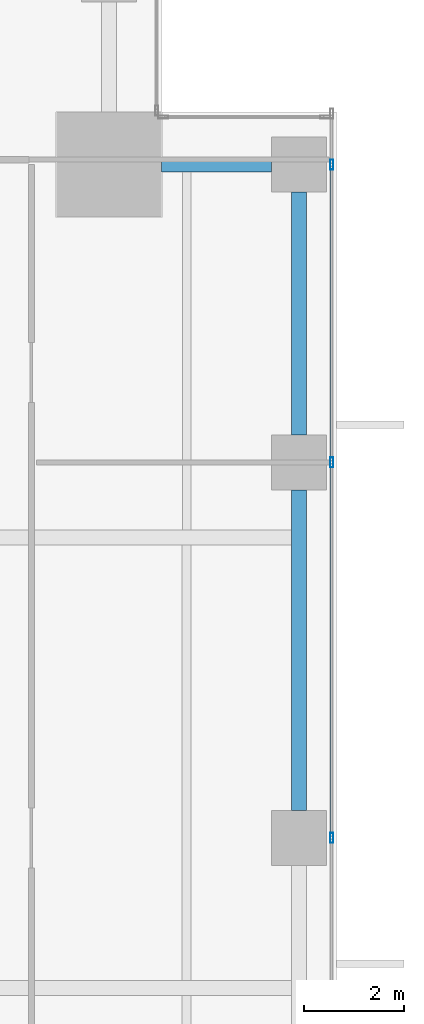
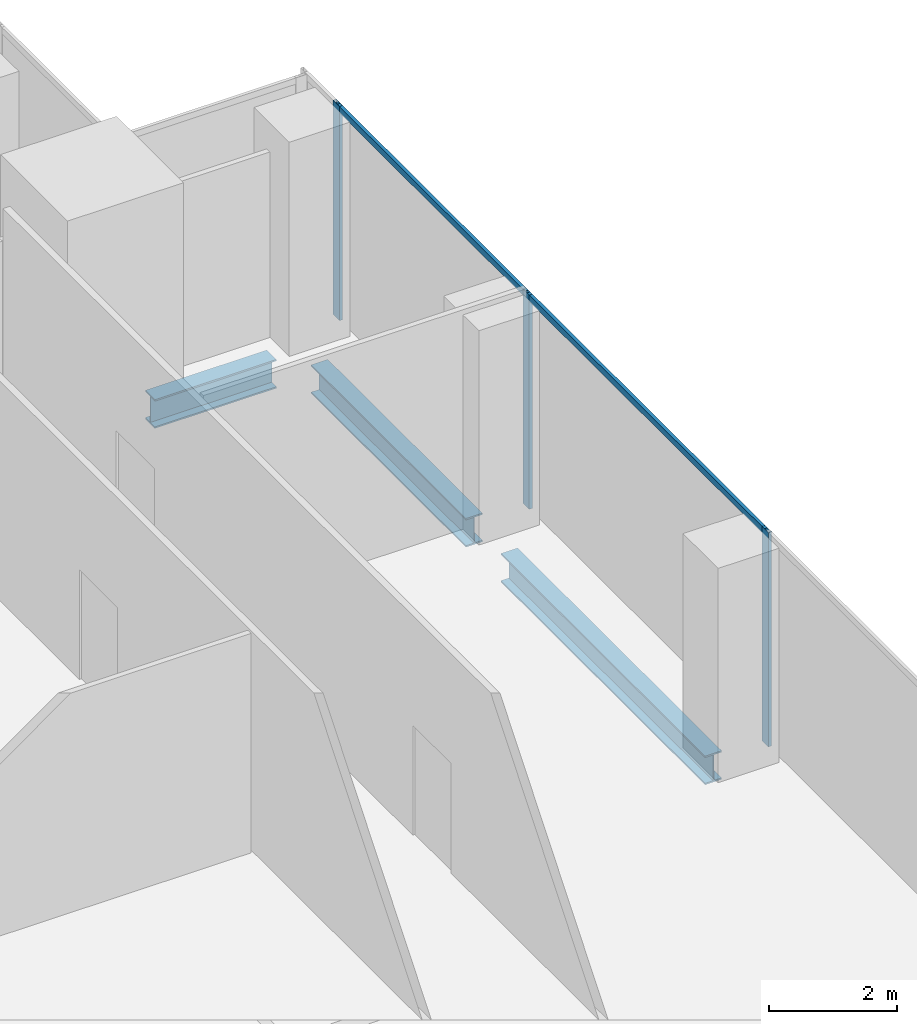
# One storey, part 19 of 34: 5 members, 3 beams, 1 element without a shape of its own.
"""IFC4 building model written with IfcOpenShell, lengths in metres."""

from ifc_helpers import new_model, si_unit, direction, frame, origin, origin_2d, place, context, subcontext, project, spatial, hollow_rectangle, i_section, extrude, source, transform, mapped, material, material_profile, profile_set, type_object, element, aggregate, save


model = new_model("IFC4")

# Units and contexts
model_context = context("Model", 3, precision=1e-05, world=origin(), true_north=direction((0.0, 1.0)))
body_context = subcontext(model_context, "Body", "Model", "MODEL_VIEW")
ifc_project = project(units=[si_unit("LENGTHUNIT", "METRE"), si_unit("AREAUNIT", "SQUARE_METRE"), si_unit("VOLUMEUNIT", "CUBIC_METRE"), si_unit("PLANEANGLEUNIT", "RADIAN"), si_unit("MASSUNIT", "GRAM", prefix="KILO")], contexts=[model_context])

# Site, building, storey
site_placement = place(None, origin())
site = spatial("IfcSite", under=ifc_project, at=site_placement, CompositionType="ELEMENT")
building_placement = place(site_placement, origin())
building = spatial("IfcBuilding", under=site, at=building_placement, Name="Khomas Fold Tower", CompositionType="ELEMENT")
storey_placement = place(building_placement, frame((0.0, 0.0, 110.300048828125)))
storey = spatial("IfcBuildingStorey", under=building, at=storey_placement, Name="L23", CompositionType="ELEMENT", Elevation=110.300048828125)

# Beams
ifc_material_1 = material(Name="Steel S355", Category="steel")
ifc_material_profile_1 = material_profile(ifc_material_1, i_section(OverallWidth=0.300048828125, OverallDepth=0.550048828125, WebThickness=0.014892578125, FlangeThickness=0.029052734375, at=origin_2d()), Name="HE 550 B")
ifc_profile_set_1 = profile_set([ifc_material_profile_1], Name="Steel S355")
beam_type = type_object("IfcBeamType", Name="HE 550 B spandrel SB2", PredefinedType="SPANDREL", material=ifc_profile_set_1)
shared_shape_1 = source(origin(), body_context, "Body", "SweptSolid", [
    extrude(i_section(OverallWidth=0.300048828125, OverallDepth=0.550048828125, WebThickness=0.014892578125, FlangeThickness=0.029052734375, at=origin_2d()), origin(), (0.0, 0.0, 1.0), 4.849853515625),
])
beam_1_placement = place(storey_placement, frame((51.75, 42.550048828125, -0.574951171875), z_axis=(0.0, 1.0, 0.0), x_axis=(-1.0, 0.0, 0.0)))
element("IfcBeam", 1, at=beam_1_placement, inside=storey, type_object=beam_type, Name="SB2", PredefinedType="SPANDREL", context=body_context, shape_type="MappedRepresentation", body=[
    mapped(shared_shape_1, transform((0.0, 0.0, 0.0))),
])
shared_shape_2 = source(origin(), body_context, "Body", "SweptSolid", [
    extrude(i_section(OverallWidth=0.300048828125, OverallDepth=0.550048828125, WebThickness=0.014892578125, FlangeThickness=0.029052734375, at=origin_2d()), origin(), (0.0, 0.0, 1.0), 6.39990234375),
])
beam_2_placement = place(storey_placement, frame((51.75, 35.050048828125, -0.574951171875), z_axis=(0.0, 1.0, 0.0), x_axis=(-1.0, 0.0, 0.0)))
element("IfcBeam", 2, at=beam_2_placement, inside=storey, type_object=beam_type, Name="SB2", PredefinedType="SPANDREL", context=body_context, shape_type="MappedRepresentation", body=[
    mapped(shared_shape_2, transform((0.0, 0.0, 0.0))),
])
shared_shape_3 = source(origin(), body_context, "Body", "SweptSolid", [
    extrude(i_section(OverallWidth=0.300048828125, OverallDepth=0.550048828125, WebThickness=0.014892578125, FlangeThickness=0.029052734375, at=origin_2d()), origin(), (0.0, 0.0, 1.0), 2.199951171875),
])
beam_3_placement = place(storey_placement, frame((49.0, 47.949951171875, -0.574951171875), z_axis=(1.0, 0.0, 0.0), x_axis=(0.0, 1.0, 0.0)))
element("IfcBeam", 3, at=beam_3_placement, inside=storey, type_object=beam_type, Name="SB2", PredefinedType="SPANDREL", context=body_context, shape_type="MappedRepresentation", body=[
    mapped(shared_shape_3, transform((0.0, 0.0, 0.0))),
])

# Curtain wall, members
ifc_material_2 = material(Name="Aluminium framed double glazing", Category="aluminium")
curtain_wall_type = type_object("IfcCurtainWallType", Name="SK-Unitised clear-glass wall, growing floors CW1", PredefinedType="NOTDEFINED", material=ifc_material_2)
curtain_wall_placement = place(storey_placement, origin())
curtain_wall = element("IfcCurtainWall", 4, at=curtain_wall_placement, inside=storey, type_object=curtain_wall_type, Name="CW1 run L23 03-1", PredefinedType="NOTDEFINED")
ifc_material_3 = material(Name="Aluminium", Category="aluminium")
ifc_material_profile_2 = material_profile(ifc_material_3, hollow_rectangle(XDim=0.06005859375, YDim=0.1201171875, WallThickness=0.00390625, at=origin_2d()), Name="SK-Unitised clear-glass wall, growing floors transom CW1-T")
ifc_profile_set_2 = profile_set([ifc_material_profile_2], Name="Aluminium")
member_type_1 = type_object("IfcMemberType", Name="SK-Unitised clear-glass wall, growing floors transom CW1-T", PredefinedType="USERDEFINED", material=ifc_profile_set_2)
shared_shape_4 = source(origin(), body_context, "Body", "SweptSolid", [
    extrude(hollow_rectangle(XDim=0.06005859375, YDim=0.1201171875, WallThickness=0.00390625, at=origin_2d()), origin(), (0.0, 0.0, 1.0), 7.43994140625),
])
member_1_placement = place(storey_placement, frame((52.39990234375, 34.530029296875, 4.0400390625), z_axis=(0.0, 1.0, 0.0), x_axis=(-1.0, 0.0, 0.0)))
member_1 = element("IfcMember", 5, at=member_1_placement, type_object=member_type_1, Name="CW1 transom 3", ObjectType="TRANSOM", PredefinedType="USERDEFINED", context=body_context, shape_type="MappedRepresentation", body=[
    mapped(shared_shape_4, transform((0.0, 0.0, 0.0))),
])
shared_shape_5 = source(origin(), body_context, "Body", "SweptSolid", [
    extrude(hollow_rectangle(XDim=0.06005859375, YDim=0.1201171875, WallThickness=0.00390625, at=origin_2d()), origin(), (0.0, 0.0, 1.0), 5.889892578125),
])
member_2_placement = place(storey_placement, frame((52.39990234375, 42.030029296875, 4.0400390625), z_axis=(0.0, 1.0, 0.0), x_axis=(-1.0, 0.0, 0.0)))
member_2 = element("IfcMember", 6, at=member_2_placement, type_object=member_type_1, Name="CW1 transom 4", ObjectType="TRANSOM", PredefinedType="USERDEFINED", context=body_context, shape_type="MappedRepresentation", body=[
    mapped(shared_shape_5, transform((0.0, 0.0, 0.0))),
])
ifc_material_4 = material(Name="Aluminium", Category="aluminium")
ifc_material_profile_3 = material_profile(ifc_material_4, hollow_rectangle(XDim=0.06005859375, YDim=0.199951171875, WallThickness=0.00390625, at=origin_2d()), Name="SK-Unitised clear-glass wall, growing floors mullion CW1-M")
ifc_profile_set_3 = profile_set([ifc_material_profile_3], Name="Aluminium")
member_type_2 = type_object("IfcMemberType", Name="SK-Unitised clear-glass wall, growing floors mullion CW1-M", PredefinedType="MULLION", material=ifc_profile_set_3)
shared_shape_6 = source(origin(), body_context, "Body", "SweptSolid", [
    extrude(hollow_rectangle(XDim=0.06005859375, YDim=0.199951171875, WallThickness=0.00390625, at=origin_2d()), origin(), (0.0, 0.0, 1.0), 4.099853515625),
])
member_3_placement = place(storey_placement, frame((52.39990234375, 34.5, 0.0), z_axis=(0.0, 0.0, 1.0), x_axis=(-1.0, 0.0, 0.0)))
member_3 = element("IfcMember", 7, at=member_3_placement, type_object=member_type_2, Name="CW1 mullion 3", PredefinedType="MULLION", context=body_context, shape_type="MappedRepresentation", body=[
    mapped(shared_shape_6, transform((0.0, 0.0, 0.0))),
])
member_4_placement = place(storey_placement, frame((52.39990234375, 42.0, 0.0), z_axis=(0.0, 0.0, 1.0), x_axis=(-1.0, 0.0, 0.0)))
member_4 = element("IfcMember", 8, at=member_4_placement, type_object=member_type_2, Name="CW1 mullion 4", PredefinedType="MULLION", context=body_context, shape_type="MappedRepresentation", body=[
    mapped(shared_shape_6, transform((0.0, 0.0, 0.0))),
])
member_5_placement = place(storey_placement, frame((52.39990234375, 47.949951171875, 0.0), z_axis=(0.0, 0.0, 1.0), x_axis=(-1.0, 0.0, 0.0)))
member_5 = element("IfcMember", 9, at=member_5_placement, type_object=member_type_2, Name="CW1 mullion 5", PredefinedType="MULLION", context=body_context, shape_type="MappedRepresentation", body=[
    mapped(shared_shape_6, transform((0.0, 0.0, 0.0))),
])
aggregate(curtain_wall, [member_3, member_4, member_5, member_1, member_2])

save(model, "model.ifc")
